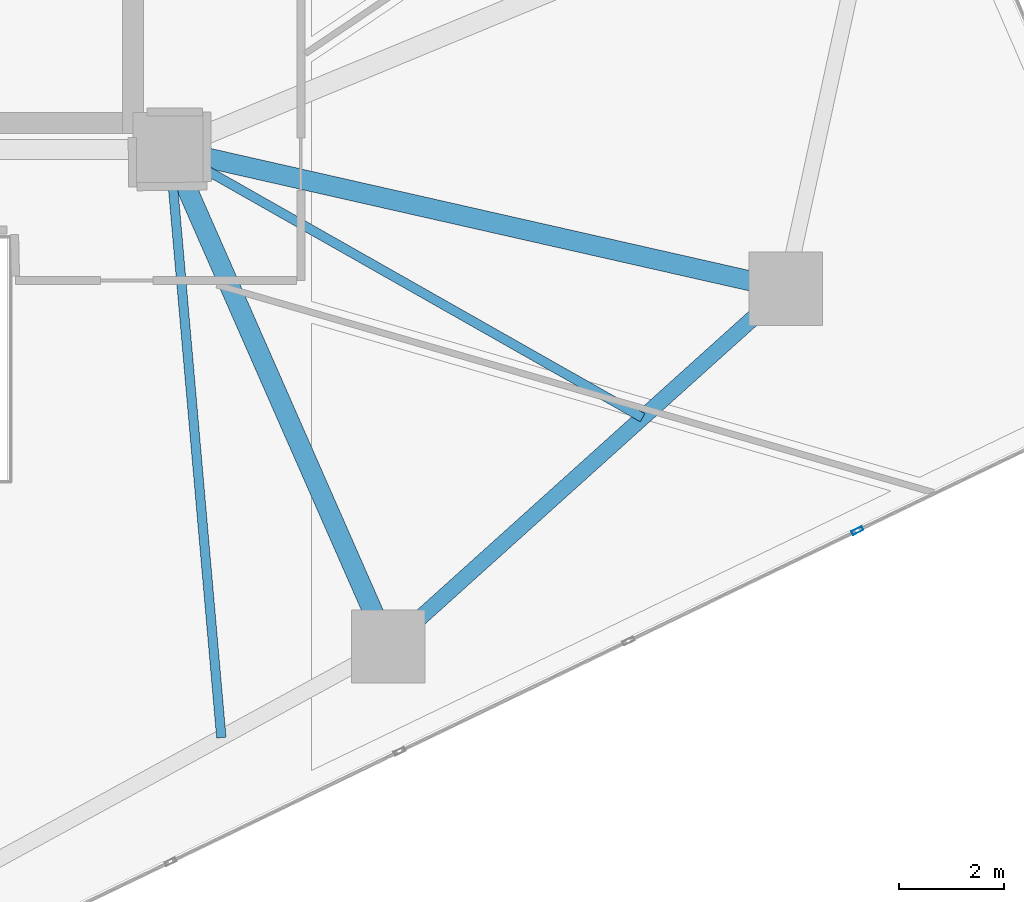
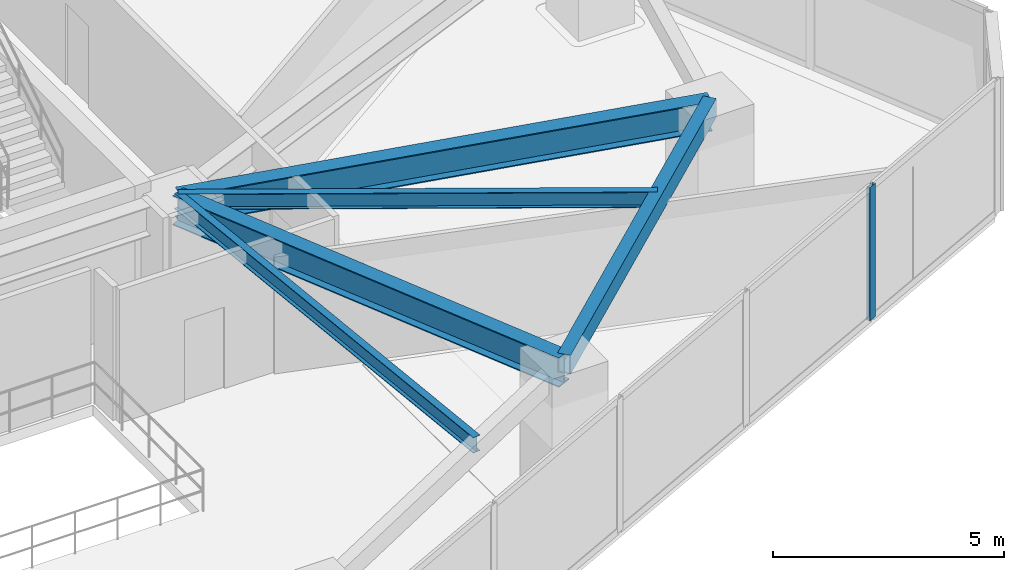
# One storey, part 9 of 23: 5 beams, 1 member, 1 element without a shape of its own.
"""IFC4 building model written with IfcOpenShell, lengths in metres."""

from ifc_helpers import new_model, si_unit, direction, frame, origin, origin_2d, place, context, subcontext, project, spatial, hollow_rectangle, i_section, extrude, source, transform, mapped, material, layer, layer_set, material_profile, profile_set, type_object, type_shapes, element, aggregate, save


model = new_model("IFC4")

# Units and contexts
model_context = context("Model", 3, precision=1e-05, world=origin(), true_north=direction((0.0, 1.0)))
body_context = subcontext(model_context, "Body", "Model", "MODEL_VIEW")
ifc_project = project(units=[si_unit("LENGTHUNIT", "METRE"), si_unit("AREAUNIT", "SQUARE_METRE"), si_unit("VOLUMEUNIT", "CUBIC_METRE"), si_unit("PLANEANGLEUNIT", "RADIAN"), si_unit("MASSUNIT", "GRAM", prefix="KILO")], contexts=[model_context])

# Site, building, storey
site_placement = place(None, origin())
site = spatial("IfcSite", under=ifc_project, at=site_placement, CompositionType="ELEMENT")
building_placement = place(site_placement, origin())
building = spatial("IfcBuilding", under=site, at=building_placement, Name="Talar Marvaseh", CompositionType="ELEMENT")
storey_placement = place(building_placement, frame((0.0, 0.0, 35.39990234375)))
storey = spatial("IfcBuildingStorey", under=building, at=storey_placement, Name="L08", CompositionType="ELEMENT", Elevation=35.39990234375)

# Beams
ifc_material_1 = material(Name="Steel S355", Category="steel")
ifc_material_profile_1 = material_profile(ifc_material_1, hollow_rectangle(XDim=0.300048828125, YDim=0.5, WallThickness=0.02001953125, at=origin_2d()), Name="RHS500x300x20")
ifc_profile_set_1 = profile_set([ifc_material_profile_1], Name="Steel S355")
beam_type_1 = type_object("IfcBeamType", Name="Zone 1 Perimeter Spandrel Beam RHS500x300x20", PredefinedType="SPANDREL", material=ifc_profile_set_1)
beam_1_placement = place(storey_placement, frame((45.0439453125, 22.840087890625, 3.27001953125), z_axis=(-0.743257224494, -0.669005753516, 0.0), x_axis=(0.669005753516, -0.743257224494, 0.0)))
element("IfcBeam", 1, at=beam_1_placement, inside=storey, type_object=beam_type_1, Name="L08 Zone 1 Perimeter Spandrel Beam RHS500x300x20", PredefinedType="SPANDREL", context=body_context, shape_type="SweptSolid", body=[
    extrude(hollow_rectangle(XDim=0.300048828125, YDim=0.5, WallThickness=0.02001953125, at=origin_2d()), origin(), (0.0, 0.0, 1.0), 10.19287109375),
])
ifc_material_profile_2 = material_profile(ifc_material_1, i_section(OverallWidth=0.381103515625, OverallDepth=0.77294921875, WebThickness=0.0166015625, FlangeThickness=0.027099609375, at=origin_2d()), Name="W760x257")
ifc_profile_set_2 = profile_set([ifc_material_profile_2], Name="Steel S355")
beam_type_2 = type_object("IfcBeamType", Name="Zone 1 Radial Floor Girder W760x257", PredefinedType="BEAM", material=ifc_profile_set_2)
beam_2_placement = place(storey_placement, frame((45.0439453125, 22.840087890625, 3.133544921875), z_axis=(-0.975296900374, 0.220898067263, 0.0), x_axis=(-0.220898067263, -0.975296900374, 0.0)))
element("IfcBeam", 2, at=beam_2_placement, inside=storey, type_object=beam_type_2, Name="L08 Zone 1 Radial Floor Girder W760x257", PredefinedType="BEAM", context=body_context, shape_type="SweptSolid", body=[
    extrude(i_section(OverallWidth=0.381103515625, OverallDepth=0.77294921875, WebThickness=0.0166015625, FlangeThickness=0.027099609375, at=origin_2d()), origin(), (0.0, 0.0, 1.0), 12.041259765625),
])
beam_3_placement = place(storey_placement, frame((37.468017578125, 16.02099609375, 3.133544921875), z_axis=(-0.402512625991, 0.915414433969, 0.0), x_axis=(-0.915414433969, -0.402512625991, 0.0)))
element("IfcBeam", 3, at=beam_3_placement, inside=storey, type_object=beam_type_2, Name="L08 Zone 1 Radial Floor Girder W760x257", PredefinedType="BEAM", context=body_context, shape_type="SweptSolid", body=[
    extrude(i_section(OverallWidth=0.381103515625, OverallDepth=0.77294921875, WebThickness=0.0166015625, FlangeThickness=0.027099609375, at=origin_2d()), origin(), (0.0, 0.0, 1.0), 10.35498046875),
])
ifc_material_profile_3 = material_profile(ifc_material_1, i_section(OverallWidth=0.179931640625, OverallDepth=0.4130859375, WebThickness=0.009765625, FlangeThickness=0.01611328125, at=origin_2d()), Name="W410x75")
ifc_profile_set_3 = profile_set([ifc_material_profile_3], Name="Steel S355")
beam_type_3 = type_object("IfcBeamType", Name="Zone 1 Secondary Floor Joist W410x75", PredefinedType="JOIST", material=ifc_profile_set_3)
beam_4_placement = place(storey_placement, frame((42.316650390625, 20.38525390625, 3.3134765625), z_axis=(-0.869801202402, 0.493402339172, 0.0), x_axis=(-0.493402339172, -0.869801202402, 0.0)))
element("IfcBeam", 4, at=beam_4_placement, inside=storey, type_object=beam_type_3, Name="L08 Zone 1 Secondary Floor Joist W410x75", PredefinedType="JOIST", context=body_context, shape_type="SweptSolid", body=[
    extrude(i_section(OverallWidth=0.179931640625, OverallDepth=0.4130859375, WebThickness=0.009765625, FlangeThickness=0.01611328125, at=origin_2d()), origin(), (0.0, 0.0, 1.0), 10.3662109375),
])
beam_5_placement = place(storey_placement, frame((34.284423828125, 14.28369140625, 3.3134765625), z_axis=(-0.08742678295, 0.996170947992, 0.0), x_axis=(-0.996170947992, -0.08742678295, 0.0)))
element("IfcBeam", 5, at=beam_5_placement, inside=storey, type_object=beam_type_3, Name="L08 Zone 1 Secondary Floor Joist W410x75", PredefinedType="JOIST", context=body_context, shape_type="SweptSolid", body=[
    extrude(i_section(OverallWidth=0.179931640625, OverallDepth=0.4130859375, WebThickness=0.009765625, FlangeThickness=0.01611328125, at=origin_2d()), origin(), (0.0, 0.0, 1.0), 11.259521484375),
])

# Curtain wall, member
ifc_material_2 = material(Name="Architectural Aluminium", Category="aluminium")
ifc_layer = layer(ifc_material_2, 0.219970703125)
ifc_layer_set = layer_set([ifc_layer], Name="Architectural Aluminium")
curtain_wall_type = type_object("IfcCurtainWallType", Name="Unitised Low-E Museum Curtain Wall Z1", PredefinedType="NOTDEFINED", material=ifc_layer_set)
curtain_wall_placement = place(storey_placement, origin())
curtain_wall = element("IfcCurtainWall", 6, at=curtain_wall_placement, inside=storey, type_object=curtain_wall_type, Name="L08 Unitised Low-E Museum Curtain Wall Z1", PredefinedType="NOTDEFINED")
ifc_material_profile_4 = material_profile(ifc_material_2, hollow_rectangle(XDim=0.080078125, YDim=0.219970703125, WallThickness=0.0048828125, at=origin_2d()), Name="RHS220x80x5")
ifc_profile_set_4 = profile_set([ifc_material_profile_4], Name="Architectural Aluminium")
member_type = type_object("IfcMemberType", Name="Unitised Curtain Wall Heavy Mullion RHS220x80x5", PredefinedType="MULLION", material=ifc_profile_set_4)
shared_shape = source(origin(), body_context, "Body", "SweptSolid", [
    extrude(hollow_rectangle(XDim=0.080078125, YDim=0.219970703125, WallThickness=0.0048828125, at=origin_2d()), origin(), (0.0, 0.0, 1.0), 3.52001953125),
])
type_shapes(member_type, [shared_shape])
member_placement = place(storey_placement, frame((46.41162109375, 18.231201171875, 0.0), z_axis=(0.0, 0.0, 1.0), x_axis=(0.434307139856, -0.900764846267, 0.0)))
member = element("IfcMember", 7, at=member_placement, type_object=member_type, Name="CW-Z1 mullion 2", PredefinedType="MULLION", context=body_context, shape_type="MappedRepresentation", body=[
    mapped(shared_shape, transform((0.0, 0.0, 0.0), x_axis=(1.0, 0.0, 0.0), y_axis=(0.0, 1.0, 0.0), z_axis=(0.0, 0.0, 1.0), scale=1.0)),
])
aggregate(curtain_wall, [member])

save(model, "model.ifc")
